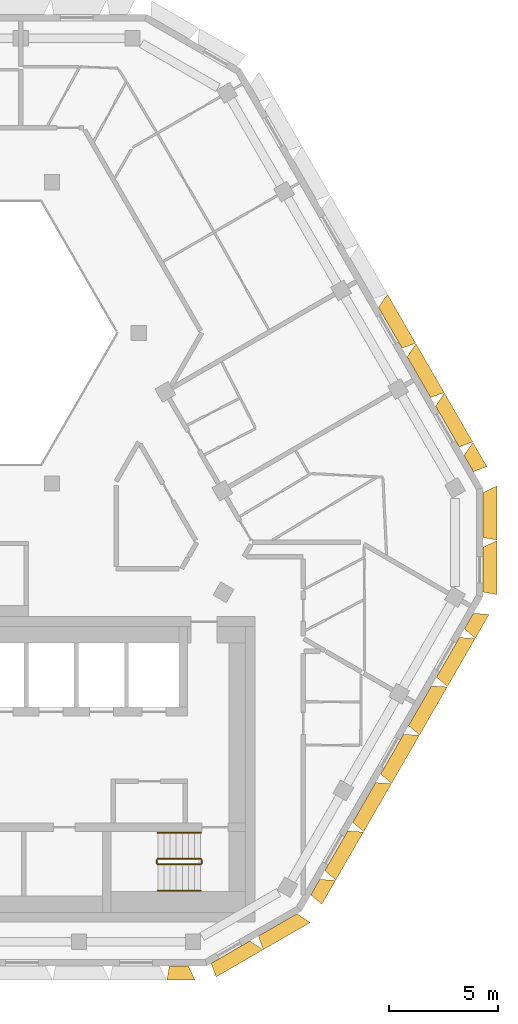
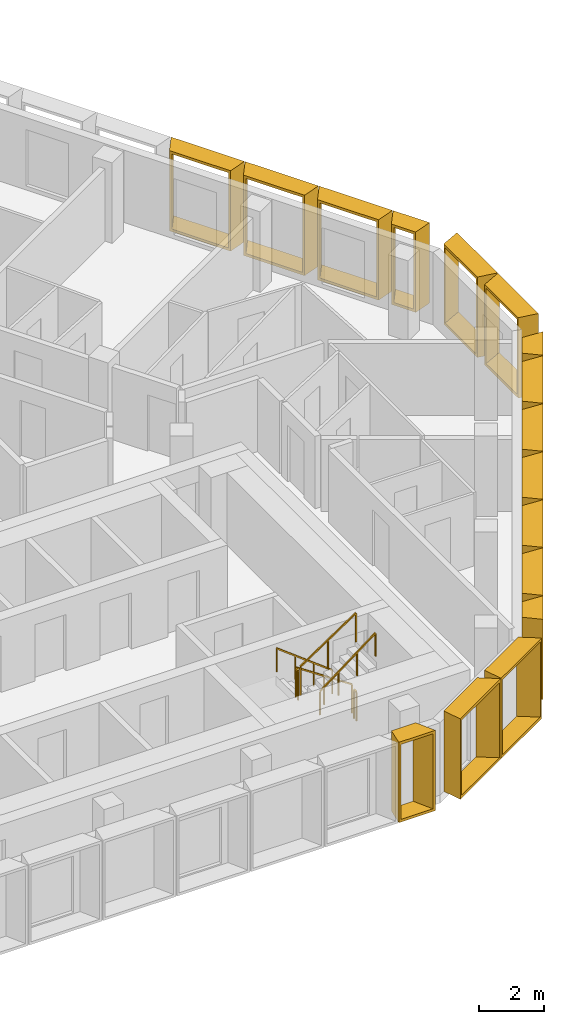
# One storey, part 14 of 15: 16 shading devices, 6 railings.
"""IFC4 building model written with IfcOpenShell, lengths in metres."""

import ifcopenshell
import ifcopenshell.guid

model = None  # the IFC model being written
_history = None  # IfcOwnerHistory: only IFC2X3 demands one
_inside = {}  # id of a spatial element -> (the spatial element, [elements in it])
_under = {}  # id of a project, library or spatial element -> (it, [spatial elements below it])
_declared = {}  # id of a project -> (the project, [libraries it declares])
_typed = {}  # id of a type object -> (the type object, [elements of that type])
_made_of = {}  # id of a material, layer set ... -> (it, [elements and type objects made of it])


def new_model(schema):
    """Start an empty IFC model of exactly this schema.

    Asked for "IFC4X3", IfcOpenShell would pick the latest addendum, in which some entities
    have other attributes; the version numbers below select the first issue.
    IFC2X3 requires an IfcOwnerHistory on every rooted entity: one is made here for all.
    """
    global model, _history
    if schema == "IFC4X3":
        model = ifcopenshell.file(schema_version=(4, 3, 0, 0))
    else:
        model = ifcopenshell.file(schema=schema)
    _inside.clear()
    _under.clear()
    _declared.clear()
    _typed.clear()
    _made_of.clear()
    _history = None
    if model.schema == "IFC2X3":
        org = make("IfcOrganization", Name="unknown")
        user = make(
            "IfcPersonAndOrganization",
            ThePerson=make("IfcPerson", FamilyName="unknown"),
            TheOrganization=org,
        )
        app = make(
            "IfcApplication",
            ApplicationDeveloper=org,
            Version="unknown",
            ApplicationFullName="unknown",
            ApplicationIdentifier="unknown",
        )
        _history = make(
            "IfcOwnerHistory",
            OwningUser=user,
            OwningApplication=app,
            ChangeAction="ADDED",
            CreationDate=0,
        )
    return model


def make(cls, **values):
    """One entity of the class cls with the attributes given. An attribute that is None is left unset."""
    return model.create_entity(
        cls, **{name: value for name, value in values.items() if value is not None}
    )


def entity(cls, *values):
    """Any entity or typed value of the class cls, its attributes in the order of the schema. None: left unset."""
    e = model.create_entity(cls)
    for i, value in enumerate(values):
        if value is not None:
            e[i] = value
    return e


def rooted(cls, **values):
    """An entity with a GlobalId (a new one), such as an element, a storey or a relation."""
    return make(cls, GlobalId=ifcopenshell.guid.new(), OwnerHistory=_history, **values)


def si_unit(unit_type, name, prefix=None):
    """IfcSIUnit, for example si_unit("LENGTHUNIT", "METRE", prefix="MILLI")."""
    return make("IfcSIUnit", UnitType=unit_type, Prefix=prefix, Name=name)


def assignment(units):
    """IfcUnitAssignment: the units of a project."""
    return None if units is None else make("IfcUnitAssignment", Units=units)


def point(xyz):
    """IfcCartesianPoint."""
    return None if xyz is None else make("IfcCartesianPoint", Coordinates=xyz)


def direction(xyz):
    """IfcDirection."""
    return None if xyz is None else make("IfcDirection", DirectionRatios=xyz)


def frame(location, z_axis=None, x_axis=None):
    """IfcAxis2Placement3D, a coordinate frame: its origin and axes. An axis left out is left unset."""
    return make(
        "IfcAxis2Placement3D",
        Location=point(location),
        Axis=direction(z_axis),
        RefDirection=direction(x_axis),
    )


def frame_2d(location, x_axis=None):
    """IfcAxis2Placement2D, a coordinate frame in the plane: its origin and x axis."""
    return make(
        "IfcAxis2Placement2D", Location=point(location), RefDirection=direction(x_axis)
    )


def origin():
    """The frame at (0, 0, 0) with its axes left unset."""
    return frame((0.0, 0.0, 0.0))


def origin_2d():
    """The frame at (0, 0) in the plane with its x axis left unset."""
    return frame_2d((0.0, 0.0))


def place(relative_to, where):
    """IfcLocalPlacement: puts the frame where relative to a parent placement (None: the world)."""
    return make(
        "IfcLocalPlacement", PlacementRelTo=relative_to, RelativePlacement=where
    )


def context(
    kind, dimensions, precision=None, world=None, true_north=None, identifier=None
):
    """IfcGeometricRepresentationContext, for example the 3D "Model" context."""
    return make(
        "IfcGeometricRepresentationContext",
        ContextIdentifier=identifier,
        ContextType=kind,
        CoordinateSpaceDimension=dimensions,
        Precision=precision,
        WorldCoordinateSystem=world,
        TrueNorth=true_north,
    )


def subcontext(parent, identifier, kind, view, scale=None):
    """IfcGeometricRepresentationSubContext, for example "Body" below "Model"."""
    return make(
        "IfcGeometricRepresentationSubContext",
        ContextIdentifier=identifier,
        ContextType=kind,
        ParentContext=parent,
        TargetScale=scale,
        TargetView=view,
    )


def project(units=None, contexts=None):
    """IfcProject with its units and contexts."""
    return rooted(
        "IfcProject",
        Name="project",
        RepresentationContexts=contexts,
        UnitsInContext=assignment(units),
    )


def spatial(cls, under=None, at=None, **own):
    """A site, building, storey or space (cls), placed at a placement, below another one or the project."""
    s = rooted(cls, ObjectPlacement=at, **own)
    if under is not None:
        _under.setdefault(under.id(), (under, []))[1].append(s)
    return s


def profile(cls, at=None, kind="AREA", **sizes):
    """A parametric profile (cls). Its sizes go by their IFC names, for example OverallWidth=200.0."""
    return make(cls, ProfileType=kind, Position=at, **sizes)


def rectangle(**sizes):
    """IfcRectangleProfileDef."""
    return profile("IfcRectangleProfileDef", **sizes)


def extrude(swept, where, along, depth):
    """IfcExtrudedAreaSolid: the profile swept, set in the frame where, extruded along a direction by depth."""
    return make(
        "IfcExtrudedAreaSolid",
        SweptArea=swept,
        Position=where,
        ExtrudedDirection=direction(along),
        Depth=depth,
    )


def shape(context_of_items, identifier, shape_type, items):
    """IfcShapeRepresentation: the items that make up one representation, for example the "Body"."""
    return make(
        "IfcShapeRepresentation",
        ContextOfItems=context_of_items,
        RepresentationIdentifier=identifier,
        RepresentationType=shape_type,
        Items=items,
    )


def source(mapping_origin, context_of_items, identifier, shape_type, items):
    """IfcRepresentationMap: a shape defined once, which mapped items show again and again."""
    return make(
        "IfcRepresentationMap",
        MappingOrigin=mapping_origin,
        MappedRepresentation=shape(context_of_items, identifier, shape_type, items),
    )


def transform(
    local_origin,
    x_axis=None,
    y_axis=None,
    z_axis=None,
    scale=None,
    scale2=None,
    scale3=None,
    uniform=True,
):
    """IfcCartesianTransformationOperator3D, or its non-uniform kind. x_axis, y_axis, z_axis: its Axis1, 2, 3."""
    if uniform:
        return make(
            "IfcCartesianTransformationOperator3D",
            Axis1=direction(x_axis),
            Axis2=direction(y_axis),
            LocalOrigin=point(local_origin),
            Scale=scale,
            Axis3=direction(z_axis),
        )
    return make(
        "IfcCartesianTransformationOperator3DnonUniform",
        Axis1=direction(x_axis),
        Axis2=direction(y_axis),
        LocalOrigin=point(local_origin),
        Scale=scale,
        Axis3=direction(z_axis),
        Scale2=scale2,
        Scale3=scale3,
    )


def mapped(mapping_source, mapping_target):
    """IfcMappedItem: shows the shape of a source again, moved by a transform."""
    return make(
        "IfcMappedItem", MappingSource=mapping_source, MappingTarget=mapping_target
    )


def material(Name=None, Category=None):
    """IfcMaterial."""
    return make("IfcMaterial", Name=Name, Category=Category)


def made_of(thing, what):
    """Note that an element or type object is made of a material, layer set ...; save() writes the relation."""
    if what is not None:
        _made_of.setdefault(what.id(), (what, []))[1].append(thing)
    return thing


def type_object(cls, material=None, **own):
    """A type object (cls), such as IfcWallType, which elements share."""
    return made_of(rooted(cls, **own), material)


def type_shapes(of_type, sources):
    """Give a type object the sources (RepresentationMaps) that its elements show as mapped items."""
    of_type.RepresentationMaps = sources


def element(
    cls,
    number,
    at=None,
    inside=None,
    cuts=None,
    type_object=None,
    material=None,
    context=None,
    identifier="Body",
    shape_type=None,
    held_by="IfcProductDefinitionShape",
    body=None,
    shapes=None,
    **own,
):
    """One element of the class cls, such as IfcWall. Its Tag is "e" and its number.

    at: its placement. inside: the storey or other place that contains it. cuts: it is an
    opening in that element (IfcRelVoidsElement). A single representation is given by context,
    identifier, shape_type and body (its items); several are given by shapes. held_by: the class
    of the entity that holds the representations. save() writes the other relations.
    """
    e = rooted(cls, Tag="e%d" % number, ObjectPlacement=at, **own)
    if body is not None:
        shapes = [shape(context, identifier, shape_type, body)]
    if shapes is not None:
        e.Representation = make(held_by, Representations=shapes)
    if inside is not None:
        _inside.setdefault(inside.id(), (inside, []))[1].append(e)
    if cuts is not None:
        rooted(
            "IfcRelVoidsElement", RelatingBuildingElement=cuts, RelatedOpeningElement=e
        )
    if type_object is not None:
        _typed.setdefault(type_object.id(), (type_object, []))[1].append(e)
    return made_of(e, material)


def aggregate(whole, parts):
    """IfcRelAggregates: a whole, such as a stair, and the parts it consists of."""
    return rooted("IfcRelAggregates", RelatingObject=whole, RelatedObjects=parts)


def save(model, path):
    """Write the relations noted so far, then the file.

    IfcRelAggregates (storeys below a building ...), IfcRelContainedInSpatialStructure (elements
    in a storey), IfcRelDefinesByType, IfcRelAssociatesMaterial and IfcRelDeclares: one each for
    every whole, place, type object, material and project.
    """
    for whole, parts in _under.values():
        aggregate(whole, parts)
    for where, things in _inside.values():
        rooted(
            "IfcRelContainedInSpatialStructure",
            RelatedElements=things,
            RelatingStructure=where,
        )
    for kind, things in _typed.values():
        rooted("IfcRelDefinesByType", RelatedObjects=things, RelatingType=kind)
    for what, things in _made_of.values():
        rooted("IfcRelAssociatesMaterial", RelatedObjects=things, RelatingMaterial=what)
    for by, libraries in _declared.values():
        rooted("IfcRelDeclares", RelatingContext=by, RelatedDefinitions=libraries)
    model.write(path)


model = new_model("IFC4")

# Units and contexts
model_context = context("Model", 3, precision=1e-05, world=origin(), true_north=direction((0.0, 1.0)))
body_context = subcontext(model_context, "Body", "Model", "MODEL_VIEW")
ifc_project = project(units=[si_unit("LENGTHUNIT", "METRE"), si_unit("AREAUNIT", "SQUARE_METRE"), si_unit("VOLUMEUNIT", "CUBIC_METRE"), si_unit("PLANEANGLEUNIT", "RADIAN"), si_unit("MASSUNIT", "GRAM", prefix="KILO")], contexts=[model_context])

# Site, building, storey
site_placement = place(None, origin())
site = spatial("IfcSite", under=ifc_project, at=site_placement, CompositionType="ELEMENT")
building_placement = place(site_placement, origin())
building = spatial("IfcBuilding", under=site, at=building_placement, Name="Beryl Residences", CompositionType="ELEMENT")
storey_placement = place(building_placement, frame((0.0, 0.0, 217.800048828125)))
storey = spatial("IfcBuildingStorey", under=building, at=storey_placement, Name="L67", CompositionType="ELEMENT", Elevation=217.800048828125)

# Shading devices
ifc_material_1 = material(Name="Aluminium pale anodised", Category="aluminium")
shading_device_type_1 = type_object("IfcShadingDeviceType", Name="FR128-65C OUTER SKIN frame 650 mm deep, splay 10/26 deg, 1280 x 3000 mm cell", PredefinedType="USERDEFINED", material=ifc_material_1)
cartesian_point_1 = entity("IfcCartesianPoint", [-0.4140625, 0.0])
cartesian_point_2 = entity("IfcCartesianPoint", [-0.332763671875, 0.10009765625])
cartesian_point_3 = entity("IfcCartesianPoint", [-0.528564453125, 0.0])
cartesian_point_4 = entity("IfcCartesianPoint", [-0.447265625, 0.10009765625])
shared_shape_1 = source(origin(), body_context, "Body", "SweptSolid", [
    entity("IfcExtrudedAreaSolidTapered", entity("IfcArbitraryProfileDefWithVoids", "AREA", None, entity("IfcPolyline", [cartesian_point_1, entity("IfcCartesianPoint", [0.4140625, 0.0]), entity("IfcCartesianPoint", [0.4140625, 3.0]), entity("IfcCartesianPoint", [-0.4140625, 3.0]), cartesian_point_1]), [entity("IfcPolyline", [cartesian_point_2, entity("IfcCartesianPoint", [0.324951171875, 0.10009765625]), entity("IfcCartesianPoint", [0.324951171875, 2.89990234375]), entity("IfcCartesianPoint", [-0.332763671875, 2.89990234375]), cartesian_point_2])]), entity("IfcAxis2Placement3D", entity("IfcCartesianPoint", [0.0, 0.0, 0.0]), entity("IfcDirection", [0.0, 1.0, 0.0]), entity("IfcDirection", [-1.0, 0.0, 0.0])), entity("IfcDirection", [0.0, 0.0, 1.0]), 0.64990234375, entity("IfcArbitraryProfileDefWithVoids", "AREA", None, entity("IfcPolyline", [cartesian_point_3, entity("IfcCartesianPoint", [0.73095703125, 0.0]), entity("IfcCartesianPoint", [0.73095703125, 3.0]), entity("IfcCartesianPoint", [-0.528564453125, 3.0]), cartesian_point_3]), [entity("IfcPolyline", [cartesian_point_4, entity("IfcCartesianPoint", [0.64208984375, 0.10009765625]), entity("IfcCartesianPoint", [0.64208984375, 2.89990234375]), entity("IfcCartesianPoint", [-0.447265625, 2.89990234375]), cartesian_point_4])])),
])
type_shapes(shading_device_type_1, [shared_shape_1])
for number, where, z_axis, x_axis, name in (
    (1, (16.052978515625, -17.39599609375, 0.0), (0.0, 0.0, 1.0), (-0.5, -0.866025403784, 0.0), "FR128-65C frame L67 SE 1"),
    (2, (23.091064453125, -5.205078125, 0.0), (0.0, 0.0, 1.0), (-0.5, -0.866025403784, 0.0), "FR128-65C frame L67 SE 7"),
):
    element("IfcShadingDevice", number, at=place(storey_placement, frame(where, z_axis=z_axis, x_axis=x_axis)), inside=storey, type_object=shading_device_type_1, Name=name, ObjectType="OUTER SKIN", PredefinedType="USERDEFINED", context=body_context, shape_type="MappedRepresentation", body=[
        mapped(shared_shape_1, transform((0.0, 0.0, 0.0))),
    ])
ifc_material_2 = material(Name="Aluminium pale anodised", Category="aluminium")
shading_device_type_2 = type_object("IfcShadingDeviceType", Name="FR131-65C OUTER SKIN frame 650 mm deep, splay 10/26 deg, 1310 x 3000 mm cell", PredefinedType="USERDEFINED", material=ifc_material_2)
cartesian_point_5 = entity("IfcCartesianPoint", [-0.428955078125, 0.0])
cartesian_point_6 = entity("IfcCartesianPoint", [-0.34765625, 0.10009765625])
cartesian_point_7 = entity("IfcCartesianPoint", [-0.543701171875, 0.0])
cartesian_point_8 = entity("IfcCartesianPoint", [-0.46240234375, 0.10009765625])
shared_shape_2 = source(origin(), body_context, "Body", "SweptSolid", [
    entity("IfcExtrudedAreaSolidTapered", entity("IfcArbitraryProfileDefWithVoids", "AREA", None, entity("IfcPolyline", [cartesian_point_5, entity("IfcCartesianPoint", [0.428955078125, 0.0]), entity("IfcCartesianPoint", [0.428955078125, 3.0]), entity("IfcCartesianPoint", [-0.428955078125, 3.0]), cartesian_point_5]), [entity("IfcPolyline", [cartesian_point_6, entity("IfcCartesianPoint", [0.340087890625, 0.10009765625]), entity("IfcCartesianPoint", [0.340087890625, 2.89990234375]), entity("IfcCartesianPoint", [-0.34765625, 2.89990234375]), cartesian_point_6])]), entity("IfcAxis2Placement3D", entity("IfcCartesianPoint", [0.0, 0.0, 0.0]), entity("IfcDirection", [0.0, 1.0, 0.0]), entity("IfcDirection", [-1.0, 0.0, 0.0])), entity("IfcDirection", [0.0, 0.0, 1.0]), 0.64990234375, entity("IfcArbitraryProfileDefWithVoids", "AREA", None, entity("IfcPolyline", [cartesian_point_7, entity("IfcCartesianPoint", [0.74609375, 0.0]), entity("IfcCartesianPoint", [0.74609375, 3.0]), entity("IfcCartesianPoint", [-0.543701171875, 3.0]), cartesian_point_7]), [entity("IfcPolyline", [cartesian_point_8, entity("IfcCartesianPoint", [0.656982421875, 0.10009765625]), entity("IfcCartesianPoint", [0.656982421875, 2.89990234375]), entity("IfcCartesianPoint", [-0.46240234375, 2.89990234375]), cartesian_point_8])])),
])
type_shapes(shading_device_type_2, [shared_shape_2])
for number, where, z_axis, x_axis, name in (
    (3, (9.797119140625, -21.0, 0.0), (0.0, 0.0, 1.0), (-1.0, 0.0, 0.0), "FR131-65C frame L67 S 9"),
    (4, (23.083984375, 2.01611328125, 0.0), (0.0, 0.0, 1.0), (0.5, -0.866025403784, 0.0), "FR131-65C frame L67 NE 1"),
):
    element("IfcShadingDevice", number, at=place(storey_placement, frame(where, z_axis=z_axis, x_axis=x_axis)), inside=storey, type_object=shading_device_type_2, Name=name, ObjectType="OUTER SKIN", PredefinedType="USERDEFINED", context=body_context, shape_type="MappedRepresentation", body=[
        mapped(shared_shape_2, transform((0.0, 0.0, 0.0))),
    ])
ifc_material_3 = material(Name="Aluminium pale anodised", Category="aluminium")
shading_device_type_3 = type_object("IfcShadingDeviceType", Name="FR250-65C OUTER SKIN frame 650 mm deep, splay 10/26 deg, 2500 x 3000 mm cell", PredefinedType="USERDEFINED", material=ifc_material_3)
cartesian_point_9 = entity("IfcCartesianPoint", [-1.02392578125, 0.0])
cartesian_point_10 = entity("IfcCartesianPoint", [-0.94287109375, 0.10009765625])
cartesian_point_11 = entity("IfcCartesianPoint", [-1.138671875, 0.0])
cartesian_point_12 = entity("IfcCartesianPoint", [-1.057373046875, 0.10009765625])
shared_shape_3 = source(origin(), body_context, "Body", "SweptSolid", [
    entity("IfcExtrudedAreaSolidTapered", entity("IfcArbitraryProfileDefWithVoids", "AREA", None, entity("IfcPolyline", [cartesian_point_9, entity("IfcCartesianPoint", [1.02392578125, 0.0]), entity("IfcCartesianPoint", [1.02392578125, 3.0]), entity("IfcCartesianPoint", [-1.02392578125, 3.0]), cartesian_point_9]), [entity("IfcPolyline", [cartesian_point_10, entity("IfcCartesianPoint", [0.93505859375, 0.10009765625]), entity("IfcCartesianPoint", [0.93505859375, 2.89990234375]), entity("IfcCartesianPoint", [-0.94287109375, 2.89990234375]), cartesian_point_10])]), entity("IfcAxis2Placement3D", entity("IfcCartesianPoint", [0.0, 0.0, 0.0]), entity("IfcDirection", [0.0, 1.0, 0.0]), entity("IfcDirection", [-1.0, 0.0, 0.0])), entity("IfcDirection", [0.0, 0.0, 1.0]), 0.64990234375, entity("IfcArbitraryProfileDefWithVoids", "AREA", None, entity("IfcPolyline", [cartesian_point_11, entity("IfcCartesianPoint", [1.341064453125, 0.0]), entity("IfcCartesianPoint", [1.341064453125, 3.0]), entity("IfcCartesianPoint", [-1.138671875, 3.0]), cartesian_point_11]), [entity("IfcPolyline", [cartesian_point_12, entity("IfcCartesianPoint", [1.251953125, 0.10009765625]), entity("IfcCartesianPoint", [1.251953125, 2.89990234375]), entity("IfcCartesianPoint", [-1.057373046875, 2.89990234375]), cartesian_point_12])])),
])
type_shapes(shading_device_type_3, [shared_shape_3])
for number, where, z_axis, x_axis, name in (
    (5, (12.16796875, -20.375, 0.0), (0.0, 0.0, 1.0), (-0.866025403784, -0.5, 0.0), "FR250-65C frame L67 S-SE 1"),
    (6, (14.33203125, -19.125, 0.0), (0.0, 0.0, 1.0), (-0.866025403784, -0.5, 0.0), "FR250-65C frame L67 S-SE 2"),
    (7, (23.72900390625, -2.85009765625, 0.0), (0.0, 0.0, 1.0), (0.0, -1.0, 0.0), "FR250-65C frame L67 SE-NE 1"),
    (8, (23.72900390625, -0.35009765625, 0.0), (0.0, 0.0, 1.0), (0.0, -1.0, 0.0), "FR250-65C frame L67 SE-NE 2"),
):
    element("IfcShadingDevice", number, at=place(storey_placement, frame(where, z_axis=z_axis, x_axis=x_axis)), inside=storey, type_object=shading_device_type_3, Name=name, ObjectType="OUTER SKIN", PredefinedType="USERDEFINED", context=body_context, shape_type="MappedRepresentation", body=[
        mapped(shared_shape_3, transform((0.0, 0.0, 0.0))),
    ])
ifc_material_4 = material(Name="Aluminium pale anodised", Category="aluminium")
shading_device_type_4 = type_object("IfcShadingDeviceType", Name="FR256-65C OUTER SKIN frame 650 mm deep, splay 10/26 deg, 2560 x 3000 mm cell", PredefinedType="USERDEFINED", material=ifc_material_4)
cartesian_point_13 = entity("IfcCartesianPoint", [-1.053955078125, 0.0])
cartesian_point_14 = entity("IfcCartesianPoint", [-0.97265625, 0.10009765625])
cartesian_point_15 = entity("IfcCartesianPoint", [-1.168701171875, 0.0])
cartesian_point_16 = entity("IfcCartesianPoint", [-1.08740234375, 0.10009765625])
shared_shape_4 = source(origin(), body_context, "Body", "SweptSolid", [
    entity("IfcExtrudedAreaSolidTapered", entity("IfcArbitraryProfileDefWithVoids", "AREA", None, entity("IfcPolyline", [cartesian_point_13, entity("IfcCartesianPoint", [1.053955078125, 0.0]), entity("IfcCartesianPoint", [1.053955078125, 3.0]), entity("IfcCartesianPoint", [-1.053955078125, 3.0]), cartesian_point_13]), [entity("IfcPolyline", [cartesian_point_14, entity("IfcCartesianPoint", [0.965087890625, 0.10009765625]), entity("IfcCartesianPoint", [0.965087890625, 2.89990234375]), entity("IfcCartesianPoint", [-0.97265625, 2.89990234375]), cartesian_point_14])]), entity("IfcAxis2Placement3D", entity("IfcCartesianPoint", [0.0, 0.0, 0.0]), entity("IfcDirection", [0.0, 1.0, 0.0]), entity("IfcDirection", [-1.0, 0.0, 0.0])), entity("IfcDirection", [0.0, 0.0, 1.0]), 0.64990234375, entity("IfcArbitraryProfileDefWithVoids", "AREA", None, entity("IfcPolyline", [cartesian_point_15, entity("IfcCartesianPoint", [1.37109375, 0.0]), entity("IfcCartesianPoint", [1.37109375, 3.0]), entity("IfcCartesianPoint", [-1.168701171875, 3.0]), cartesian_point_15]), [entity("IfcPolyline", [cartesian_point_16, entity("IfcCartesianPoint", [1.281982421875, 0.10009765625]), entity("IfcCartesianPoint", [1.281982421875, 2.89990234375]), entity("IfcCartesianPoint", [-1.08740234375, 2.89990234375]), cartesian_point_16])])),
])
type_shapes(shading_device_type_4, [shared_shape_4])
for number, where, z_axis, x_axis, name in (
    (9, (17.011962890625, -15.73388671875, 0.0), (0.0, 0.0, 1.0), (-0.5, -0.866025403784, 0.0), "FR256-65C frame L67 SE 2"),
    (10, (18.2919921875, -13.51708984375, 0.0), (0.0, 0.0, 1.0), (-0.5, -0.866025403784, 0.0), "FR256-65C frame L67 SE 3"),
    (11, (19.572021484375, -11.300048828125, 0.0), (0.0, 0.0, 1.0), (-0.5, -0.866025403784, 0.0), "FR256-65C frame L67 SE 4"),
    (12, (20.85107421875, -9.083984375, 0.0), (0.0, 0.0, 1.0), (-0.5, -0.866025403784, 0.0), "FR256-65C frame L67 SE 5"),
    (13, (22.131103515625, -6.866943359375, 0.0), (0.0, 0.0, 1.0), (-0.5, -0.866025403784, 0.0), "FR256-65C frame L67 SE 6"),
):
    element("IfcShadingDevice", number, at=place(storey_placement, frame(where, z_axis=z_axis, x_axis=x_axis)), inside=storey, type_object=shading_device_type_4, Name=name, ObjectType="OUTER SKIN", PredefinedType="USERDEFINED", context=body_context, shape_type="MappedRepresentation", body=[
        mapped(shared_shape_4, transform((0.0, 0.0, 0.0))),
    ])
ifc_material_5 = material(Name="Aluminium pale anodised", Category="aluminium")
shading_device_type_5 = type_object("IfcShadingDeviceType", Name="FR261-65C OUTER SKIN frame 650 mm deep, splay 10/26 deg, 2610 x 3000 mm cell", PredefinedType="USERDEFINED", material=ifc_material_5)
cartesian_point_17 = entity("IfcCartesianPoint", [-1.0791015625, 0.0])
cartesian_point_18 = entity("IfcCartesianPoint", [-0.997802734375, 0.10009765625])
cartesian_point_19 = entity("IfcCartesianPoint", [-1.193603515625, 0.0])
cartesian_point_20 = entity("IfcCartesianPoint", [-1.1123046875, 0.10009765625])
shared_shape_5 = source(origin(), body_context, "Body", "SweptSolid", [
    entity("IfcExtrudedAreaSolidTapered", entity("IfcArbitraryProfileDefWithVoids", "AREA", None, entity("IfcPolyline", [cartesian_point_17, entity("IfcCartesianPoint", [1.0791015625, 0.0]), entity("IfcCartesianPoint", [1.0791015625, 3.0]), entity("IfcCartesianPoint", [-1.0791015625, 3.0]), cartesian_point_17]), [entity("IfcPolyline", [cartesian_point_18, entity("IfcCartesianPoint", [0.989990234375, 0.10009765625]), entity("IfcCartesianPoint", [0.989990234375, 2.89990234375]), entity("IfcCartesianPoint", [-0.997802734375, 2.89990234375]), cartesian_point_18])]), entity("IfcAxis2Placement3D", entity("IfcCartesianPoint", [0.0, 0.0, 0.0]), entity("IfcDirection", [0.0, 1.0, 0.0]), entity("IfcDirection", [-1.0, 0.0, 0.0])), entity("IfcDirection", [0.0, 0.0, 1.0]), 0.64990234375, entity("IfcArbitraryProfileDefWithVoids", "AREA", None, entity("IfcPolyline", [cartesian_point_19, entity("IfcCartesianPoint", [1.39599609375, 0.0]), entity("IfcCartesianPoint", [1.39599609375, 3.0]), entity("IfcCartesianPoint", [-1.193603515625, 3.0]), cartesian_point_19]), [entity("IfcPolyline", [cartesian_point_20, entity("IfcCartesianPoint", [1.30712890625, 0.10009765625]), entity("IfcCartesianPoint", [1.30712890625, 2.89990234375]), entity("IfcCartesianPoint", [-1.1123046875, 2.89990234375]), cartesian_point_20])])),
])
type_shapes(shading_device_type_5, [shared_shape_5])
for number, where, z_axis, x_axis, name in (
    (14, (22.10498046875, 3.7119140625, 0.0), (0.0, 0.0, 1.0), (0.5, -0.866025403784, 0.0), "FR261-65C frame L67 NE 2"),
    (15, (20.798095703125, 5.97509765625, 0.0), (0.0, 0.0, 1.0), (0.5, -0.866025403784, 0.0), "FR261-65C frame L67 NE 3"),
    (16, (19.491943359375, 8.237060546875, 0.0), (0.0, 0.0, 1.0), (0.5, -0.866025403784, 0.0), "FR261-65C frame L67 NE 4"),
):
    element("IfcShadingDevice", number, at=place(storey_placement, frame(where, z_axis=z_axis, x_axis=x_axis)), inside=storey, type_object=shading_device_type_5, Name=name, ObjectType="OUTER SKIN", PredefinedType="USERDEFINED", context=body_context, shape_type="MappedRepresentation", body=[
        mapped(shared_shape_5, transform((0.0, 0.0, 0.0))),
    ])

# Railings
ifc_material_6 = material(Name="Stainless steel balustrade with glass infill", Category="steel")
railing_type_1 = type_object("IfcRailingType", Name="SG1 stair guard 1100 mm", PredefinedType="GUARDRAIL", material=ifc_material_6)
railing_1_placement = place(storey_placement, frame((10.800048828125, -16.10009765625, 0.1875)))
element("IfcRailing", 17, at=railing_1_placement, inside=storey, type_object=railing_type_1, Name="L67 ST-3 stair guard 1", PredefinedType="GUARDRAIL", context=body_context, shape_type="SweptSolid", body=[
    extrude(rectangle(XDim=0.048095703125, YDim=0.048095703125, at=origin_2d()), frame((0.0, 0.0, 1.076171875), z_axis=(-0.830902050051, 0.0, 0.556418712142), x_axis=(0.0, -1.0, 0.0)), (0.0, 0.0, 1.0), 2.35888671875),
    extrude(rectangle(XDim=0.0419921875, YDim=0.0419921875, at=origin_2d()), origin(), (0.0, 0.0, 1.0), 1.052001953125),
    extrude(rectangle(XDim=0.0419921875, YDim=0.0419921875, at=origin_2d()), frame((-0.97998046875, 0.0, 0.65625)), (0.0, 0.0, 1.0), 1.052001953125),
    extrude(rectangle(XDim=0.0419921875, YDim=0.0419921875, at=origin_2d()), frame((-1.9599609375, 0.0, 1.3125)), (0.0, 0.0, 1.0), 1.052001953125),
])
railing_2_placement = place(storey_placement, frame((8.7900390625, -16.14990234375, 1.5)))
element("IfcRailing", 18, at=railing_2_placement, inside=storey, type_object=railing_type_1, Name="L67 ST-3 stair guard 2", PredefinedType="GUARDRAIL", context=body_context, shape_type="SweptSolid", body=[
    extrude(rectangle(XDim=0.048095703125, YDim=0.048095703125, at=origin_2d()), frame((0.0, 0.0, 1.076171875), z_axis=(0.0, -1.0, 0.0), x_axis=(1.0, 0.0, 0.0)), (0.0, 0.0, 1.0), 0.150146484375),
    extrude(rectangle(XDim=0.0419921875, YDim=0.0419921875, at=origin_2d()), origin(), (0.0, 0.0, 1.0), 1.052001953125),
    extrude(rectangle(XDim=0.0419921875, YDim=0.0419921875, at=origin_2d()), frame((0.0, -0.150146484375, 0.0)), (0.0, 0.0, 1.0), 1.052001953125),
])
railing_3_placement = place(storey_placement, frame((8.840087890625, -16.35009765625, 1.6875)))
element("IfcRailing", 19, at=railing_3_placement, inside=storey, type_object=railing_type_1, Name="L67 ST-3 stair guard 3", PredefinedType="GUARDRAIL", context=body_context, shape_type="SweptSolid", body=[
    extrude(rectangle(XDim=0.048095703125, YDim=0.048095703125, at=origin_2d()), frame((0.0, 0.0, 1.076171875), z_axis=(0.830902050051, 0.0, 0.556418712142), x_axis=(0.0, 1.0, 0.0)), (0.0, 0.0, 1.0), 2.35888671875),
    extrude(rectangle(XDim=0.0419921875, YDim=0.0419921875, at=origin_2d()), origin(), (0.0, 0.0, 1.0), 1.052001953125),
    extrude(rectangle(XDim=0.0419921875, YDim=0.0419921875, at=origin_2d()), frame((0.97998046875, 0.0, 0.65625)), (0.0, 0.0, 1.0), 1.052001953125),
    extrude(rectangle(XDim=0.0419921875, YDim=0.0419921875, at=origin_2d()), frame((1.9599609375, 0.0, 1.3125)), (0.0, 0.0, 1.0), 1.052001953125),
])
railing_4_placement = place(storey_placement, frame((10.85009765625, -16.14990234375, 0.0)))
element("IfcRailing", 20, at=railing_4_placement, inside=storey, type_object=railing_type_1, Name="L67 ST-3 stair guard 4", PredefinedType="GUARDRAIL", context=body_context, shape_type="SweptSolid", body=[
    extrude(rectangle(XDim=0.048095703125, YDim=0.048095703125, at=origin_2d()), frame((0.0, 0.0, 1.076171875), z_axis=(0.0, -1.0, 0.0), x_axis=(1.0, 0.0, 0.0)), (0.0, 0.0, 1.0), 0.150146484375),
    extrude(rectangle(XDim=0.0419921875, YDim=0.0419921875, at=origin_2d()), origin(), (0.0, 0.0, 1.0), 1.052001953125),
    extrude(rectangle(XDim=0.0419921875, YDim=0.0419921875, at=origin_2d()), frame((0.0, -0.150146484375, 0.0)), (0.0, 0.0, 1.0), 1.052001953125),
])
ifc_material_7 = material(Name="Stainless steel handrail", Category="steel")
railing_type_2 = type_object("IfcRailingType", Name="SRL1 stair handrail 900 mm", PredefinedType="HANDRAIL", material=ifc_material_7)
railing_5_placement = place(storey_placement, frame((10.800048828125, -14.89990234375, 0.1875)))
element("IfcRailing", 21, at=railing_5_placement, inside=storey, type_object=railing_type_2, Name="L67 ST-3 stair handrail 1", PredefinedType="HANDRAIL", context=body_context, shape_type="SweptSolid", body=[
    extrude(rectangle(XDim=0.048095703125, YDim=0.048095703125, at=origin_2d()), frame((0.0, 0.0, 0.8759765625), z_axis=(-0.794121922505, 0.0, 0.607758481798), x_axis=(0.0, -1.0, 0.0)), (0.0, 0.0, 1.0), 2.468017578125),
    extrude(rectangle(XDim=0.0419921875, YDim=0.0419921875, at=origin_2d()), origin(), (0.0, 0.0, 1.0), 0.851806640625),
    extrude(rectangle(XDim=0.0419921875, YDim=0.0419921875, at=origin_2d()), frame((-0.6533203125, 0.0, 0.5)), (0.0, 0.0, 1.0), 0.851806640625),
    extrude(rectangle(XDim=0.0419921875, YDim=0.0419921875, at=origin_2d()), frame((-1.306640625, 0.0, 1.0)), (0.0, 0.0, 1.0), 0.851806640625),
    extrude(rectangle(XDim=0.0419921875, YDim=0.0419921875, at=origin_2d()), frame((-1.9599609375, 0.0, 1.5)), (0.0, 0.0, 1.0), 0.851806640625),
])
railing_6_placement = place(storey_placement, frame((8.840087890625, -17.550048828125, 1.6875)))
element("IfcRailing", 22, at=railing_6_placement, inside=storey, type_object=railing_type_2, Name="L67 ST-3 stair handrail 2", PredefinedType="HANDRAIL", context=body_context, shape_type="SweptSolid", body=[
    extrude(rectangle(XDim=0.048095703125, YDim=0.048095703125, at=origin_2d()), frame((0.0, 0.0, 0.8759765625), z_axis=(0.794121922505, 0.0, 0.607758481798), x_axis=(0.0, 1.0, 0.0)), (0.0, 0.0, 1.0), 2.468017578125),
    extrude(rectangle(XDim=0.0419921875, YDim=0.0419921875, at=origin_2d()), origin(), (0.0, 0.0, 1.0), 0.851806640625),
    extrude(rectangle(XDim=0.0419921875, YDim=0.0419921875, at=origin_2d()), frame((0.6533203125, 0.0, 0.5)), (0.0, 0.0, 1.0), 0.851806640625),
    extrude(rectangle(XDim=0.0419921875, YDim=0.0419921875, at=origin_2d()), frame((1.306640625, 0.0, 1.0)), (0.0, 0.0, 1.0), 0.851806640625),
    extrude(rectangle(XDim=0.0419921875, YDim=0.0419921875, at=origin_2d()), frame((1.9599609375, 0.0, 1.5)), (0.0, 0.0, 1.0), 0.851806640625),
])

save(model, "model.ifc")
